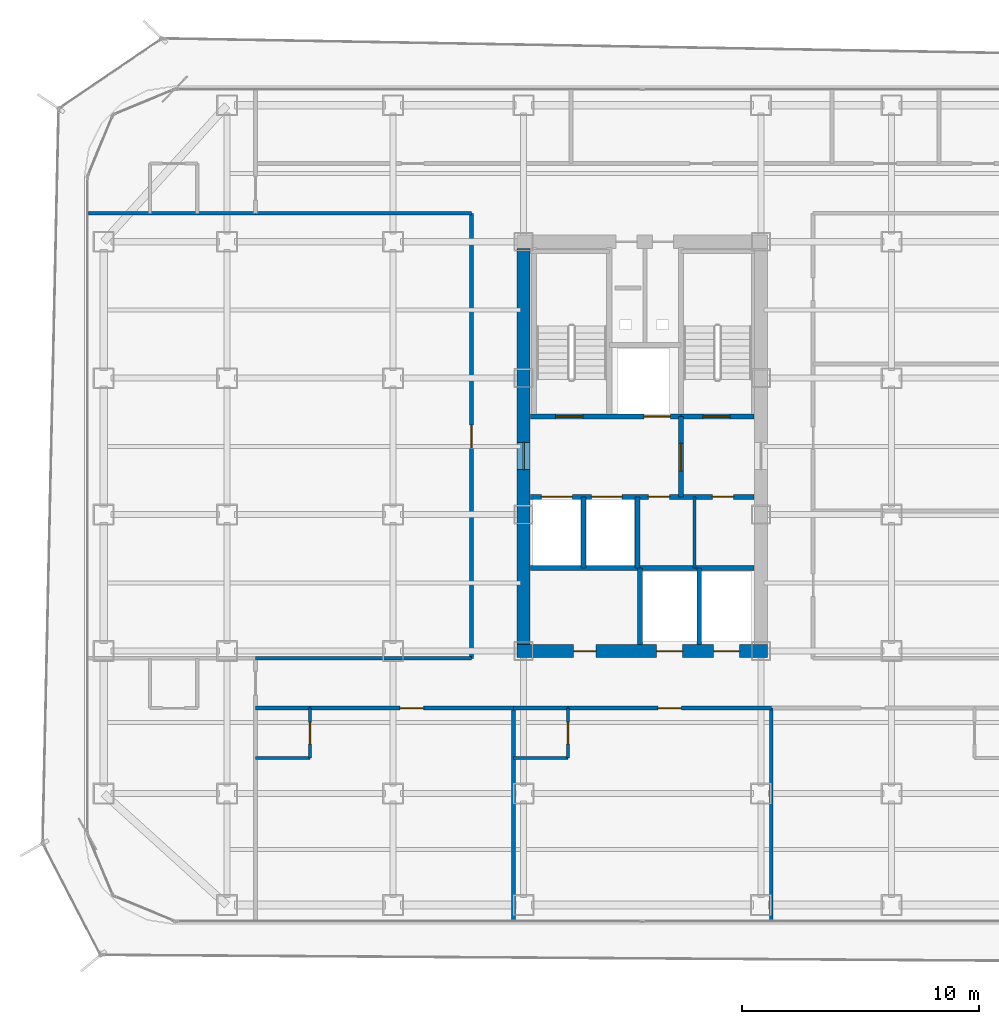
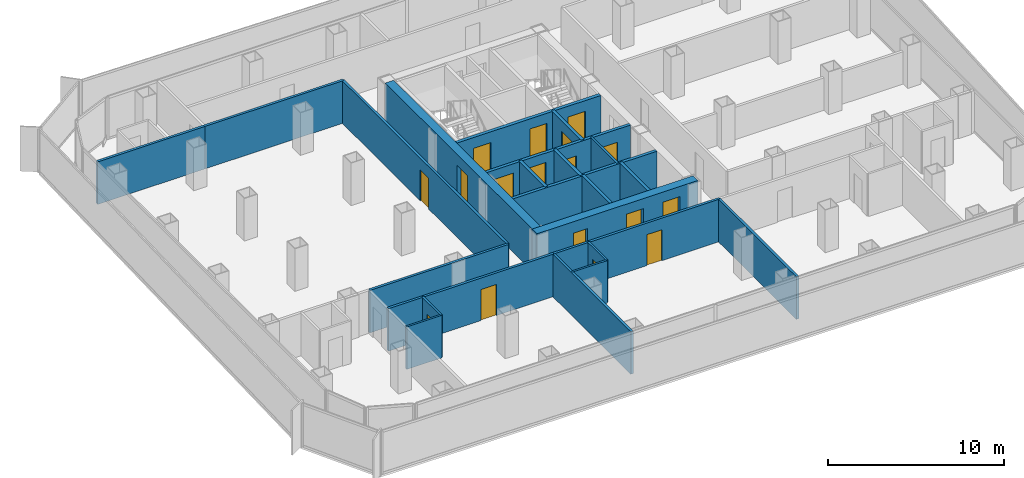
# One storey, part 16 of 21: 26 walls, 17 doors, 17 openings.
"""IFC4 building model written with IfcOpenShell, lengths in metres."""

from ifc_helpers import new_model, si_unit, direction, frame, frame_2d, origin, place, context, subcontext, project, spatial, rectangle, extrude, material, layer, layer_set, type_object, element, fill, save


model = new_model("IFC4")

# Units and contexts
model_context = context("Model", 3, precision=1e-05, world=origin(), true_north=direction((0.0, 1.0)))
body_context = subcontext(model_context, "Body", "Model", "MODEL_VIEW")
ifc_project = project(units=[si_unit("LENGTHUNIT", "METRE"), si_unit("AREAUNIT", "SQUARE_METRE"), si_unit("VOLUMEUNIT", "CUBIC_METRE"), si_unit("PLANEANGLEUNIT", "RADIAN"), si_unit("MASSUNIT", "GRAM", prefix="KILO")], contexts=[model_context])

# Site, building, storey
site_placement = place(None, origin())
site = spatial("IfcSite", under=ifc_project, at=site_placement, CompositionType="ELEMENT")
building_placement = place(site_placement, origin())
building = spatial("IfcBuilding", under=site, at=building_placement, Name="Kolveth Station Tower", CompositionType="ELEMENT")
storey_placement = place(building_placement, frame((0.0, 0.0, 121.5)))
storey = spatial("IfcBuildingStorey", under=building, at=storey_placement, Name="L33", CompositionType="ELEMENT", Elevation=121.5)

# Wall, openings, doors
ifc_material_1 = material(Name="Concrete C60/75", Category="concrete")
ifc_layer_1 = layer(ifc_material_1, 0.550048828125)
ifc_layer_set_1 = layer_set([ifc_layer_1], Name="Concrete C60/75")
wall_type_1 = type_object("IfcWallType", Name="Wall_CW-550", PredefinedType="SHEAR", material=ifc_layer_set_1)
wall_1_placement = place(storey_placement, frame((18.22509765625, 11.5, 0.0), z_axis=(0.0, 0.0, 1.0), x_axis=(1.0, 0.0, 0.0)))
wall_1 = element("IfcWall", 1, at=wall_1_placement, inside=storey, type_object=wall_type_1, Name="L33 Core RC Shear Wall S", PredefinedType="SHEAR", context=body_context, shape_type="SweptSolid", body=[
    extrude(rectangle(XDim=10.5498046875, YDim=0.550048828125, at=frame_2d((5.27490234375, 0.0))), origin(), (0.0, 0.0, 1.0), 2.949951171875),
])
opening_1_placement = place(wall_1_placement, frame((2.375, 0.0, 0.0)))
opening_1 = element("IfcOpeningElement", 2, at=opening_1_placement, cuts=wall_1, Name="Opening ID1", PredefinedType="OPENING", context=body_context, shape_type="SweptSolid", body=[
    extrude(rectangle(XDim=0.949951171875, YDim=2.14990234375, at=frame_2d((0.47509765625, 1.074951171875))), frame((0.0, 0.284912109375, 0.0), z_axis=(0.0, -1.0, 0.0), x_axis=(1.0, 0.0, 0.0)), (0.0, 0.0, 1.0), 0.570068359375),
])
opening_2_placement = place(wall_1_placement, frame((5.875, 0.0, 0.0)))
opening_2 = element("IfcOpeningElement", 3, at=opening_2_placement, cuts=wall_1, Name="Opening LD1", PredefinedType="OPENING", context=body_context, shape_type="SweptSolid", body=[
    extrude(rectangle(XDim=1.10009765625, YDim=2.25, at=frame_2d((0.550048828125, 1.125))), frame((0.0, 0.284912109375, 0.0), z_axis=(0.0, -1.0, 0.0), x_axis=(1.0, 0.0, 0.0)), (0.0, 0.0, 1.0), 0.570068359375),
])
opening_3_placement = place(wall_1_placement, frame((8.27490234375, 0.0, 0.0)))
opening_3 = element("IfcOpeningElement", 4, at=opening_3_placement, cuts=wall_1, Name="Opening LD1", PredefinedType="OPENING", context=body_context, shape_type="SweptSolid", body=[
    extrude(rectangle(XDim=1.10009765625, YDim=2.25, at=frame_2d((0.550048828125, 1.125))), frame((0.0, 0.284912109375, 0.0), z_axis=(0.0, -1.0, 0.0), x_axis=(1.0, 0.0, 0.0)), (0.0, 0.0, 1.0), 0.570068359375),
])
ifc_material_2 = material(Name="Acoustic hardwood leaf and aluminium frame", Category="wood")
door_type_1 = type_object("IfcDoorType", Name="Door_ID1", OperationType="NOTDEFINED", PredefinedType="DOOR", material=ifc_material_2)
door_1_placement = place(opening_1_placement, frame((0.949951171875, 0.0, 0.0), z_axis=(0.0, 0.0, 1.0), x_axis=(-1.0, 0.0, 0.0)))
door_1 = element("IfcDoor", 5, at=door_1_placement, inside=storey, type_object=door_type_1, Name="L33 Hotel Pantry Door", OperationType="SINGLE_SWING_RIGHT", OverallHeight=2.14990234375, OverallWidth=0.949951171875, PredefinedType="DOOR", context=body_context, shape_type="SweptSolid", body=[
    extrude(rectangle(XDim=0.949951171875, YDim=2.14990234375, at=frame_2d((0.47509765625, 1.074951171875))), frame((0.0, 0.02490234375, 0.0), z_axis=(0.0, -1.0, 0.0), x_axis=(1.0, 0.0, 0.0)), (0.0, 0.0, 1.0), 0.050048828125),
])
fill(opening_1, door_1)
ifc_material_3 = material(Name="Brushed stainless steel sliding landing doors", Category="steel")
door_type_2 = type_object("IfcDoorType", Name="Door_LD1", OperationType="NOTDEFINED", PredefinedType="DOOR", material=ifc_material_3)
door_2_placement = place(opening_2_placement, frame((1.10009765625, 0.0, 0.0), z_axis=(0.0, 0.0, 1.0), x_axis=(-1.0, 0.0, 0.0)))
door_2 = element("IfcDoor", 6, at=door_2_placement, inside=storey, type_object=door_type_2, Name="L33 Lift PM1 Landing Door", OperationType="DOUBLE_DOOR_SLIDING", OverallHeight=2.25, OverallWidth=1.10009765625, PredefinedType="DOOR", context=body_context, shape_type="SweptSolid", body=[
    extrude(rectangle(XDim=1.10009765625, YDim=2.25, at=frame_2d((0.550048828125, 1.125))), frame((0.0, 0.02490234375, 0.0), z_axis=(0.0, -1.0, 0.0), x_axis=(1.0, 0.0, 0.0)), (0.0, 0.0, 1.0), 0.050048828125),
])
fill(opening_2, door_2)
door_3_placement = place(opening_3_placement, frame((1.10009765625, 0.0, 0.0), z_axis=(0.0, 0.0, 1.0), x_axis=(-1.0, 0.0, 0.0)))
door_3 = element("IfcDoor", 7, at=door_3_placement, inside=storey, type_object=door_type_2, Name="L33 Lift PH1 Landing Door", OperationType="DOUBLE_DOOR_SLIDING", OverallHeight=2.25, OverallWidth=1.10009765625, PredefinedType="DOOR", context=body_context, shape_type="SweptSolid", body=[
    extrude(rectangle(XDim=1.10009765625, YDim=2.25, at=frame_2d((0.550048828125, 1.125))), frame((0.0, 0.02490234375, 0.0), z_axis=(0.0, -1.0, 0.0), x_axis=(1.0, 0.0, 0.0)), (0.0, 0.0, 1.0), 0.050048828125),
])
fill(opening_3, door_3)

# Wall, opening, door
wall_2_placement = place(storey_placement, frame((18.5, 11.77490234375, 0.0), z_axis=(0.0, 0.0, 1.0), x_axis=(0.0, 1.0, 0.0)))
wall_2 = element("IfcWall", 8, at=wall_2_placement, inside=storey, type_object=wall_type_1, Name="L33 Core RC Shear Wall W", PredefinedType="SHEAR", context=body_context, shape_type="SweptSolid", body=[
    extrude(rectangle(XDim=16.7001953125, YDim=0.550048828125, at=frame_2d((8.35009765625, 0.0))), origin(), (0.0, 0.0, 1.0), 2.949951171875),
])
opening_4_placement = place(wall_2_placement, frame((7.375, 0.0, 0.0)))
opening_4 = element("IfcOpeningElement", 9, at=opening_4_placement, cuts=wall_2, Name="Opening FD1", PredefinedType="OPENING", context=body_context, shape_type="SweptSolid", body=[
    extrude(rectangle(XDim=1.14990234375, YDim=2.199951171875, at=frame_2d((0.574951171875, 1.10009765625))), frame((0.0, 0.284912109375, 0.0), z_axis=(0.0, -1.0, 0.0), x_axis=(1.0, 0.0, 0.0)), (0.0, 0.0, 1.0), 0.570068359375),
])
ifc_material_4 = material(Name="Fire-rated Steel S355 leaf and frame", Category="steel")
door_type_3 = type_object("IfcDoorType", Name="Door_FD1", OperationType="NOTDEFINED", PredefinedType="DOOR", material=ifc_material_4)
door_4_placement = place(opening_4_placement, frame((1.14990234375, 0.0, 0.0), z_axis=(0.0, 0.0, 1.0), x_axis=(-1.0, 0.0, 0.0)))
door_4 = element("IfcDoor", 10, at=door_4_placement, inside=storey, type_object=door_type_3, Name="L33 West Corridor to Firefighting Lobby Door", OperationType="SINGLE_SWING_RIGHT", OverallHeight=2.199951171875, OverallWidth=1.14990234375, PredefinedType="DOOR", context=body_context, shape_type="SweptSolid", body=[
    extrude(rectangle(XDim=1.14990234375, YDim=2.199951171875, at=frame_2d((0.574951171875, 1.10009765625))), frame((0.0, 0.02490234375, 0.0), z_axis=(0.0, -1.0, 0.0), x_axis=(1.0, 0.0, 0.0)), (0.0, 0.0, 1.0), 0.050048828125),
])
fill(opening_4, door_4)

# Wall
ifc_material_5 = material(Name="Moisture-resistant gypsum partition")
ifc_layer_2 = layer(ifc_material_5, 0.135009765625)
ifc_layer_set_2 = layer_set([ifc_layer_2], Name="Moisture-resistant gypsum partition")
wall_type_2 = type_object("IfcWallType", Name="Wall_IW-135", PredefinedType="PARTITIONING", material=ifc_layer_set_2)
wall_3_placement = place(storey_placement, frame((25.699951171875, 15.0, 0.0), z_axis=(0.0, 0.0, 1.0), x_axis=(0.0, 1.0, 0.0)))
element("IfcWall", 11, at=wall_3_placement, inside=storey, type_object=wall_type_2, Name="L33 Partition Wall WL-L33-CB-V1", PredefinedType="PARTITIONING", context=body_context, shape_type="SweptSolid", body=[
    extrude(rectangle(XDim=3.0, YDim=0.135009765625, at=frame_2d((1.5, 0.0))), origin(), (0.0, 0.0, 1.0), 2.949951171875),
])

# Wall, opening, door
wall_4_placement = place(storey_placement, frame((9.5, 7.0, 0.0), z_axis=(0.0, 0.0, 1.0), x_axis=(0.0, 1.0, 0.0)))
wall_4 = element("IfcWall", 12, at=wall_4_placement, inside=storey, type_object=wall_type_2, Name="L33 Partition Wall WL-L33-HS1-BV", PredefinedType="PARTITIONING", context=body_context, shape_type="SweptSolid", body=[
    extrude(rectangle(XDim=2.10009765625, YDim=0.135009765625, at=frame_2d((1.050048828125, 0.0))), origin(), (0.0, 0.0, 1.0), 2.949951171875),
])
opening_5_placement = place(wall_4_placement, frame((0.580078125, 0.0, 0.0)))
opening_5 = element("IfcOpeningElement", 13, at=opening_5_placement, cuts=wall_4, Name="Opening ID2", PredefinedType="OPENING", context=body_context, shape_type="SweptSolid", body=[
    extrude(rectangle(XDim=0.919921875, YDim=2.10009765625, at=frame_2d((0.4599609375, 1.050048828125))), frame((0.0, 0.077392578125, 0.0), z_axis=(0.0, -1.0, 0.0), x_axis=(1.0, 0.0, 0.0)), (0.0, 0.0, 1.0), 0.155029296875),
])
ifc_material_6 = material(Name="Moisture-resistant hardwood leaf", Category="wood")
door_type_4 = type_object("IfcDoorType", Name="Door_ID2", OperationType="NOTDEFINED", PredefinedType="DOOR", material=ifc_material_6)
door_5_placement = place(opening_5_placement, frame((0.919921875, 0.0, 0.0), z_axis=(0.0, 0.0, 1.0), x_axis=(-1.0, 0.0, 0.0)))
door_5 = element("IfcDoor", 14, at=door_5_placement, inside=storey, type_object=door_type_4, Name="L33 Hotel Corner Suite HS1 En-Suite Door", OperationType="SINGLE_SWING_LEFT", OverallHeight=2.10009765625, OverallWidth=0.919921875, PredefinedType="DOOR", context=body_context, shape_type="SweptSolid", body=[
    extrude(rectangle(XDim=0.919921875, YDim=2.10009765625, at=frame_2d((0.4599609375, 1.050048828125))), frame((0.0, 0.02490234375, 0.0), z_axis=(0.0, -1.0, 0.0), x_axis=(1.0, 0.0, 0.0)), (0.0, 0.0, 1.0), 0.050048828125),
])
fill(opening_5, door_5)

# Wall
wall_5_placement = place(storey_placement, frame((7.199951171875, 7.0, 0.0), z_axis=(0.0, 0.0, 1.0), x_axis=(1.0, 0.0, 0.0)))
element("IfcWall", 15, at=wall_5_placement, inside=storey, type_object=wall_type_2, Name="L33 Partition Wall WL-L33-HS1-BH", PredefinedType="PARTITIONING", context=body_context, shape_type="SweptSolid", body=[
    extrude(rectangle(XDim=2.300048828125, YDim=0.135009765625, at=frame_2d((1.14990234375, 0.0))), origin(), (0.0, 0.0, 1.0), 2.949951171875),
])

# Wall, opening, door
wall_6_placement = place(storey_placement, frame((20.366943359375, 7.0, 0.0), z_axis=(0.0, 0.0, 1.0), x_axis=(0.0, 1.0, 0.0)))
wall_6 = element("IfcWall", 16, at=wall_6_placement, inside=storey, type_object=wall_type_2, Name="L33 Partition Wall WL-L33-HS2-BV", PredefinedType="PARTITIONING", context=body_context, shape_type="SweptSolid", body=[
    extrude(rectangle(XDim=2.10009765625, YDim=0.135009765625, at=frame_2d((1.050048828125, 0.0))), origin(), (0.0, 0.0, 1.0), 2.949951171875),
])
opening_6_placement = place(wall_6_placement, frame((0.580078125, 0.0, 0.0)))
opening_6 = element("IfcOpeningElement", 17, at=opening_6_placement, cuts=wall_6, Name="Opening ID2", PredefinedType="OPENING", context=body_context, shape_type="SweptSolid", body=[
    extrude(rectangle(XDim=0.919921875, YDim=2.10009765625, at=frame_2d((0.4599609375, 1.050048828125))), frame((0.0, 0.077392578125, 0.0), z_axis=(0.0, -1.0, 0.0), x_axis=(1.0, 0.0, 0.0)), (0.0, 0.0, 1.0), 0.155029296875),
])
door_6_placement = place(opening_6_placement, frame((0.919921875, 0.0, 0.0), z_axis=(0.0, 0.0, 1.0), x_axis=(-1.0, 0.0, 0.0)))
door_6 = element("IfcDoor", 18, at=door_6_placement, inside=storey, type_object=door_type_4, Name="L33 Hotel Corner Suite HS2 En-Suite Door", OperationType="SINGLE_SWING_LEFT", OverallHeight=2.10009765625, OverallWidth=0.919921875, PredefinedType="DOOR", context=body_context, shape_type="SweptSolid", body=[
    extrude(rectangle(XDim=0.919921875, YDim=2.10009765625, at=frame_2d((0.4599609375, 1.050048828125))), frame((0.0, 0.02490234375, 0.0), z_axis=(0.0, -1.0, 0.0), x_axis=(1.0, 0.0, 0.0)), (0.0, 0.0, 1.0), 0.050048828125),
])
fill(opening_6, door_6)

# Walls
wall_7_placement = place(storey_placement, frame((18.06689453125, 7.0, 0.0), z_axis=(0.0, 0.0, 1.0), x_axis=(1.0, 0.0, 0.0)))
element("IfcWall", 19, at=wall_7_placement, inside=storey, type_object=wall_type_2, Name="L33 Partition Wall WL-L33-HS2-BH", PredefinedType="PARTITIONING", context=body_context, shape_type="SweptSolid", body=[
    extrude(rectangle(XDim=2.300048828125, YDim=0.135009765625, at=frame_2d((1.14990234375, 0.0))), origin(), (0.0, 0.0, 1.0), 2.949951171875),
])
ifc_material_7 = material(Name="Acoustic double-stud gypsum partition")
ifc_layer_3 = layer(ifc_material_7, 0.1650390625)
ifc_layer_set_3 = layer_set([ifc_layer_3], Name="Acoustic double-stud gypsum partition")
wall_type_3 = type_object("IfcWallType", Name="Wall_IW-165", PredefinedType="PARTITIONING", material=ifc_layer_set_3)
for number, where, z_axis, x_axis, name in (
    (20, (7.199951171875, 11.199951171875, 0.0), (0.0, 0.0, 1.0), (1.0, 0.0, 0.0), "L33 Partition Wall WL-L33-HSWT"),
    (21, (7.199951171875, 29.949951171875, 0.0), (0.0, 0.0, 1.0), (1.0, 0.0, 0.0), "L33 Partition Wall WL-L33-HNWB"),
):
    element("IfcWall", number, at=place(storey_placement, frame(where, z_axis=z_axis, x_axis=x_axis)), inside=storey, type_object=wall_type_3, Name=name, PredefinedType="PARTITIONING", context=body_context, shape_type="SweptSolid", body=[
        extrude(rectangle(XDim=9.10009765625, YDim=0.1650390625, at=frame_2d((4.550048828125, 0.0))), origin(), (0.0, 0.0, 1.0), 2.949951171875),
    ])

# Wall, opening, door
wall_8_placement = place(storey_placement, frame((16.300048828125, 11.199951171875, 0.0), z_axis=(0.0, 0.0, 1.0), x_axis=(0.0, 1.0, 0.0)))
wall_8 = element("IfcWall", 22, at=wall_8_placement, inside=storey, type_object=wall_type_3, Name="L33 Partition Wall WL-L33-HW", PredefinedType="PARTITIONING", context=body_context, shape_type="SweptSolid", body=[
    extrude(rectangle(XDim=18.75, YDim=0.1650390625, at=frame_2d((9.375, 0.0))), origin(), (0.0, 0.0, 1.0), 2.949951171875),
])
opening_7_placement = place(wall_8_placement, frame((8.875, 0.0, 0.0)))
opening_7 = element("IfcOpeningElement", 23, at=opening_7_placement, cuts=wall_8, Name="Opening ID1", PredefinedType="OPENING", context=body_context, shape_type="SweptSolid", body=[
    extrude(rectangle(XDim=0.949951171875, YDim=2.14990234375, at=frame_2d((0.47509765625, 1.074951171875))), frame((0.0, 0.092529296875, 0.0), z_axis=(0.0, -1.0, 0.0), x_axis=(1.0, 0.0, 0.0)), (0.0, 0.0, 1.0), 0.18505859375),
])
door_7_placement = place(opening_7_placement, frame((0.949951171875, 0.0, 0.0), z_axis=(0.0, 0.0, 1.0), x_axis=(-1.0, 0.0, 0.0)))
door_7 = element("IfcDoor", 24, at=door_7_placement, inside=storey, type_object=door_type_1, Name="L33 Hotel Club Lounge West Door", OperationType="SINGLE_SWING_LEFT", OverallHeight=2.14990234375, OverallWidth=0.949951171875, PredefinedType="DOOR", context=body_context, shape_type="SweptSolid", body=[
    extrude(rectangle(XDim=0.949951171875, YDim=2.14990234375, at=frame_2d((0.47509765625, 1.074951171875))), frame((0.0, 0.02490234375, 0.0), z_axis=(0.0, -1.0, 0.0), x_axis=(1.0, 0.0, 0.0)), (0.0, 0.0, 1.0), 0.050048828125),
])
fill(opening_7, door_7)

# Walls
wall_9_placement = place(storey_placement, frame((0.159912109375, 29.949951171875, 0.0), z_axis=(0.0, 0.0, 1.0), x_axis=(1.0, 0.0, 0.0)))
element("IfcWall", 25, at=wall_9_placement, inside=storey, type_object=wall_type_3, Name="L33 Partition Wall WL-L33-WM2", PredefinedType="PARTITIONING", context=body_context, shape_type="SweptSolid", body=[
    extrude(rectangle(XDim=7.0400390625, YDim=0.1650390625, at=frame_2d((3.52001953125, 0.0))), origin(), (0.0, 0.0, 1.0), 2.949951171875),
])
wall_10_placement = place(storey_placement, frame((7.199951171875, 9.10009765625, 0.0), z_axis=(0.0, 0.0, 1.0), x_axis=(1.0, 0.0, 0.0)))
element("IfcWall", 26, at=wall_10_placement, inside=storey, type_object=wall_type_3, Name="L33 Partition Wall WL-L33-HS1-BCOR", PredefinedType="PARTITIONING", context=body_context, shape_type="SweptSolid", body=[
    extrude(rectangle(XDim=2.300048828125, YDim=0.1650390625, at=frame_2d((1.14990234375, 0.0))), origin(), (0.0, 0.0, 1.0), 2.949951171875),
])

# Wall, opening, door
wall_11_placement = place(storey_placement, frame((9.5, 9.10009765625, 0.0), z_axis=(0.0, 0.0, 1.0), x_axis=(1.0, 0.0, 0.0)))
wall_11 = element("IfcWall", 27, at=wall_11_placement, inside=storey, type_object=wall_type_3, Name="L33 Partition Wall WL-L33-HS1-RCOR", PredefinedType="PARTITIONING", context=body_context, shape_type="SweptSolid", body=[
    extrude(rectangle(XDim=8.56689453125, YDim=0.1650390625, at=frame_2d((4.283447265625, 0.0))), origin(), (0.0, 0.0, 1.0), 2.949951171875),
])
opening_8_placement = place(wall_11_placement, frame((3.783935546875, 0.0, 0.0)))
opening_8 = element("IfcOpeningElement", 28, at=opening_8_placement, cuts=wall_11, Name="Opening FD3", PredefinedType="OPENING", context=body_context, shape_type="SweptSolid", body=[
    extrude(rectangle(XDim=1.0, YDim=2.14990234375, at=frame_2d((0.5, 1.074951171875))), frame((0.0, 0.092529296875, 0.0), z_axis=(0.0, -1.0, 0.0), x_axis=(1.0, 0.0, 0.0)), (0.0, 0.0, 1.0), 0.18505859375),
])
ifc_material_8 = material(Name="Fire-rated hardwood leaf and aluminium frame", Category="wood")
door_type_5 = type_object("IfcDoorType", Name="Door_FD3", OperationType="NOTDEFINED", PredefinedType="DOOR", material=ifc_material_8)
door_8_placement = place(opening_8_placement, frame((1.0, 0.0, 0.0), z_axis=(0.0, 0.0, 1.0), x_axis=(-1.0, 0.0, 0.0)))
door_8 = element("IfcDoor", 29, at=door_8_placement, inside=storey, type_object=door_type_5, Name="L33 Hotel Corner Suite HS1 Entrance Door", OperationType="SINGLE_SWING_RIGHT", OverallHeight=2.14990234375, OverallWidth=1.0, PredefinedType="DOOR", context=body_context, shape_type="SweptSolid", body=[
    extrude(rectangle(XDim=1.0, YDim=2.14990234375, at=frame_2d((0.5, 1.074951171875))), frame((0.0, 0.02490234375, 0.0), z_axis=(0.0, -1.0, 0.0), x_axis=(1.0, 0.0, 0.0)), (0.0, 0.0, 1.0), 0.050048828125),
])
fill(opening_8, door_8)

# Walls
wall_12_placement = place(storey_placement, frame((18.06689453125, 0.159912109375, 0.0), z_axis=(0.0, 0.0, 1.0), x_axis=(0.0, 1.0, 0.0)))
element("IfcWall", 30, at=wall_12_placement, inside=storey, type_object=wall_type_3, Name="L33 Partition Wall WL-L33-HSK-1", PredefinedType="PARTITIONING", context=body_context, shape_type="SweptSolid", body=[
    extrude(rectangle(XDim=8.940185546875, YDim=0.1650390625, at=frame_2d((4.47021484375, 0.0))), origin(), (0.0, 0.0, 1.0), 2.949951171875),
])
wall_13_placement = place(storey_placement, frame((18.06689453125, 9.10009765625, 0.0), z_axis=(0.0, 0.0, 1.0), x_axis=(1.0, 0.0, 0.0)))
element("IfcWall", 31, at=wall_13_placement, inside=storey, type_object=wall_type_3, Name="L33 Partition Wall WL-L33-HS2-BCOR", PredefinedType="PARTITIONING", context=body_context, shape_type="SweptSolid", body=[
    extrude(rectangle(XDim=2.300048828125, YDim=0.1650390625, at=frame_2d((1.14990234375, 0.0))), origin(), (0.0, 0.0, 1.0), 2.949951171875),
])

# Wall, opening, door
wall_14_placement = place(storey_placement, frame((20.366943359375, 9.10009765625, 0.0), z_axis=(0.0, 0.0, 1.0), x_axis=(1.0, 0.0, 0.0)))
wall_14 = element("IfcWall", 32, at=wall_14_placement, inside=storey, type_object=wall_type_3, Name="L33 Partition Wall WL-L33-HS2-RCOR", PredefinedType="PARTITIONING", context=body_context, shape_type="SweptSolid", body=[
    extrude(rectangle(XDim=8.566162109375, YDim=0.1650390625, at=frame_2d((4.283203125, 0.0))), origin(), (0.0, 0.0, 1.0), 2.949951171875),
])
opening_9_placement = place(wall_14_placement, frame((3.782958984375, 0.0, 0.0)))
opening_9 = element("IfcOpeningElement", 33, at=opening_9_placement, cuts=wall_14, Name="Opening FD3", PredefinedType="OPENING", context=body_context, shape_type="SweptSolid", body=[
    extrude(rectangle(XDim=1.0, YDim=2.14990234375, at=frame_2d((0.5, 1.074951171875))), frame((0.0, 0.092529296875, 0.0), z_axis=(0.0, -1.0, 0.0), x_axis=(1.0, 0.0, 0.0)), (0.0, 0.0, 1.0), 0.18505859375),
])
door_9_placement = place(opening_9_placement, frame((1.0, 0.0, 0.0), z_axis=(0.0, 0.0, 1.0), x_axis=(-1.0, 0.0, 0.0)))
door_9 = element("IfcDoor", 34, at=door_9_placement, inside=storey, type_object=door_type_5, Name="L33 Hotel Corner Suite HS2 Entrance Door", OperationType="SINGLE_SWING_LEFT", OverallHeight=2.14990234375, OverallWidth=1.0, PredefinedType="DOOR", context=body_context, shape_type="SweptSolid", body=[
    extrude(rectangle(XDim=1.0, YDim=2.14990234375, at=frame_2d((0.5, 1.074951171875))), frame((0.0, 0.02490234375, 0.0), z_axis=(0.0, -1.0, 0.0), x_axis=(1.0, 0.0, 0.0)), (0.0, 0.0, 1.0), 0.050048828125),
])
fill(opening_9, door_9)

# Wall
wall_15_placement = place(storey_placement, frame((28.93310546875, 0.159912109375, 0.0), z_axis=(0.0, 0.0, 1.0), x_axis=(0.0, 1.0, 0.0)))
element("IfcWall", 35, at=wall_15_placement, inside=storey, type_object=wall_type_3, Name="L33 Partition Wall WL-L33-HSK-2", PredefinedType="PARTITIONING", context=body_context, shape_type="SweptSolid", body=[
    extrude(rectangle(XDim=8.940185546875, YDim=0.1650390625, at=frame_2d((4.47021484375, 0.0))), origin(), (0.0, 0.0, 1.0), 2.949951171875),
])

# Wall, opening, door
ifc_material_9 = material(Name="Acoustic fire-rated gypsum blockwork", Category="masonry")
ifc_layer_4 = layer(ifc_material_9, 0.199951171875)
ifc_layer_set_4 = layer_set([ifc_layer_4], Name="Acoustic fire-rated gypsum blockwork")
wall_type_4 = type_object("IfcWallType", Name="Wall_IW-200", PredefinedType="PARTITIONING", material=ifc_layer_set_4)
wall_16_placement = place(storey_placement, frame((25.1298828125, 18.0, 0.0), z_axis=(0.0, 0.0, 1.0), x_axis=(0.0, 1.0, 0.0)))
wall_16 = element("IfcWall", 36, at=wall_16_placement, inside=storey, type_object=wall_type_4, Name="L33 Partition Wall WL-L33-FFL-E", PredefinedType="PARTITIONING", context=body_context, shape_type="SweptSolid", body=[
    extrude(rectangle(XDim=3.389892578125, YDim=0.199951171875, at=frame_2d((1.69482421875, 0.0))), origin(), (0.0, 0.0, 1.0), 2.949951171875),
])
opening_10_placement = place(wall_16_placement, frame((1.10009765625, 0.0, 0.0)))
opening_10 = element("IfcOpeningElement", 37, at=opening_10_placement, cuts=wall_16, Name="Opening FD1", PredefinedType="OPENING", context=body_context, shape_type="SweptSolid", body=[
    extrude(rectangle(XDim=1.14990234375, YDim=2.199951171875, at=frame_2d((0.574951171875, 1.10009765625))), frame((0.0, 0.10986328125, 0.0), z_axis=(0.0, -1.0, 0.0), x_axis=(1.0, 0.0, 0.0)), (0.0, 0.0, 1.0), 0.219970703125),
])
door_10_placement = place(opening_10_placement, origin())
door_10 = element("IfcDoor", 38, at=door_10_placement, inside=storey, type_object=door_type_3, Name="L33 Firefighting to Stair Lobby Door", OperationType="SINGLE_SWING_LEFT", OverallHeight=2.199951171875, OverallWidth=1.14990234375, PredefinedType="DOOR", context=body_context, shape_type="SweptSolid", body=[
    extrude(rectangle(XDim=1.14990234375, YDim=2.199951171875, at=frame_2d((0.574951171875, 1.10009765625))), frame((0.0, 0.02490234375, 0.0), z_axis=(0.0, -1.0, 0.0), x_axis=(1.0, 0.0, 0.0)), (0.0, 0.0, 1.0), 0.050048828125),
])
fill(opening_10, door_10)

# Wall, openings, doors
wall_17_placement = place(storey_placement, frame((18.784912109375, 18.0, 0.0), z_axis=(0.0, 0.0, 1.0), x_axis=(1.0, 0.0, 0.0)))
wall_17 = element("IfcWall", 39, at=wall_17_placement, inside=storey, type_object=wall_type_4, Name="L33 Partition Wall WL-L33-FFL-S", PredefinedType="PARTITIONING", context=body_context, shape_type="SweptSolid", body=[
    extrude(rectangle(XDim=9.43017578125, YDim=0.199951171875, at=frame_2d((4.715087890625, 0.0))), origin(), (0.0, 0.0, 1.0), 2.949951171875),
])
opening_11_placement = place(wall_17_placement, frame((0.465087890625, 0.0, 0.0)))
opening_11 = element("IfcOpeningElement", 40, at=opening_11_placement, cuts=wall_17, Name="Opening LD2", PredefinedType="OPENING", context=body_context, shape_type="SweptSolid", body=[
    extrude(rectangle(XDim=1.300048828125, YDim=2.300048828125, at=frame_2d((0.64990234375, 1.14990234375))), frame((0.0, 0.10986328125, 0.0), z_axis=(0.0, -1.0, 0.0), x_axis=(1.0, 0.0, 0.0)), (0.0, 0.0, 1.0), 0.219970703125),
])
opening_12_placement = place(wall_17_placement, frame((2.56494140625, 0.0, 0.0)))
opening_12 = element("IfcOpeningElement", 41, at=opening_12_placement, cuts=wall_17, Name="Opening LD2", PredefinedType="OPENING", context=body_context, shape_type="SweptSolid", body=[
    extrude(rectangle(XDim=1.300048828125, YDim=2.300048828125, at=frame_2d((0.64990234375, 1.14990234375))), frame((0.0, 0.10986328125, 0.0), z_axis=(0.0, -1.0, 0.0), x_axis=(1.0, 0.0, 0.0)), (0.0, 0.0, 1.0), 0.219970703125),
])
opening_13_placement = place(wall_17_placement, frame((4.965087890625, 0.0, 0.0)))
opening_13 = element("IfcOpeningElement", 42, at=opening_13_placement, cuts=wall_17, Name="Opening RD1", PredefinedType="OPENING", context=body_context, shape_type="SweptSolid", body=[
    extrude(rectangle(XDim=0.89990234375, YDim=2.050048828125, at=frame_2d((0.449951171875, 1.02490234375))), frame((0.0, 0.10986328125, 0.0), z_axis=(0.0, -1.0, 0.0), x_axis=(1.0, 0.0, 0.0)), (0.0, 0.0, 1.0), 0.219970703125),
])
opening_14_placement = place(wall_17_placement, frame((7.6650390625, 0.0, 0.0)))
opening_14 = element("IfcOpeningElement", 43, at=opening_14_placement, cuts=wall_17, Name="Opening RD1", PredefinedType="OPENING", context=body_context, shape_type="SweptSolid", body=[
    extrude(rectangle(XDim=0.89990234375, YDim=2.050048828125, at=frame_2d((0.449951171875, 1.02490234375))), frame((0.0, 0.10986328125, 0.0), z_axis=(0.0, -1.0, 0.0), x_axis=(1.0, 0.0, 0.0)), (0.0, 0.0, 1.0), 0.219970703125),
])
ifc_material_10 = material(Name="Firefighting stainless steel sliding landing doors", Category="steel")
door_type_6 = type_object("IfcDoorType", Name="Door_LD2", OperationType="NOTDEFINED", PredefinedType="DOOR", material=ifc_material_10)
door_11_placement = place(opening_11_placement, origin())
door_11 = element("IfcDoor", 44, at=door_11_placement, inside=storey, type_object=door_type_6, Name="L33 Firefighting Lift FF1 Landing Door", OperationType="DOUBLE_DOOR_SLIDING", OverallHeight=2.300048828125, OverallWidth=1.300048828125, PredefinedType="DOOR", context=body_context, shape_type="SweptSolid", body=[
    extrude(rectangle(XDim=1.300048828125, YDim=2.300048828125, at=frame_2d((0.64990234375, 1.14990234375))), frame((0.0, 0.02490234375, 0.0), z_axis=(0.0, -1.0, 0.0), x_axis=(1.0, 0.0, 0.0)), (0.0, 0.0, 1.0), 0.050048828125),
])
fill(opening_11, door_11)
door_12_placement = place(opening_12_placement, origin())
door_12 = element("IfcDoor", 45, at=door_12_placement, inside=storey, type_object=door_type_6, Name="L33 Firefighting Lift FF2 Landing Door", OperationType="DOUBLE_DOOR_SLIDING", OverallHeight=2.300048828125, OverallWidth=1.300048828125, PredefinedType="DOOR", context=body_context, shape_type="SweptSolid", body=[
    extrude(rectangle(XDim=1.300048828125, YDim=2.300048828125, at=frame_2d((0.64990234375, 1.14990234375))), frame((0.0, 0.02490234375, 0.0), z_axis=(0.0, -1.0, 0.0), x_axis=(1.0, 0.0, 0.0)), (0.0, 0.0, 1.0), 0.050048828125),
])
fill(opening_12, door_12)
ifc_material_11 = material(Name="Fire-rated Steel S355 riser access leaf", Category="steel")
door_type_7 = type_object("IfcDoorType", Name="Door_RD1", OperationType="NOTDEFINED", PredefinedType="DOOR", material=ifc_material_11)
door_13_placement = place(opening_13_placement, frame((0.89990234375, 0.0, 0.0), z_axis=(0.0, 0.0, 1.0), x_axis=(-1.0, 0.0, 0.0)))
door_13 = element("IfcDoor", 46, at=door_13_placement, inside=storey, type_object=door_type_7, Name="L33 Core Accessible WC Door", OperationType="SINGLE_SWING_RIGHT", OverallHeight=2.050048828125, OverallWidth=0.89990234375, PredefinedType="DOOR", context=body_context, shape_type="SweptSolid", body=[
    extrude(rectangle(XDim=0.89990234375, YDim=2.050048828125, at=frame_2d((0.449951171875, 1.02490234375))), frame((0.0, 0.02490234375, 0.0), z_axis=(0.0, -1.0, 0.0), x_axis=(1.0, 0.0, 0.0)), (0.0, 0.0, 1.0), 0.050048828125),
])
fill(opening_13, door_13)
door_14_placement = place(opening_14_placement, frame((0.89990234375, 0.0, 0.0), z_axis=(0.0, 0.0, 1.0), x_axis=(-1.0, 0.0, 0.0)))
door_14 = element("IfcDoor", 47, at=door_14_placement, inside=storey, type_object=door_type_7, Name="L33 Housekeeping and Linen Room Door", OperationType="SINGLE_SWING_LEFT", OverallHeight=2.050048828125, OverallWidth=0.89990234375, PredefinedType="DOOR", context=body_context, shape_type="SweptSolid", body=[
    extrude(rectangle(XDim=0.89990234375, YDim=2.050048828125, at=frame_2d((0.449951171875, 1.02490234375))), frame((0.0, 0.02490234375, 0.0), z_axis=(0.0, -1.0, 0.0), x_axis=(1.0, 0.0, 0.0)), (0.0, 0.0, 1.0), 0.050048828125),
])
fill(opening_14, door_14)

# Walls
for number, where, z_axis, x_axis, name in (
    (48, (21.02001953125, 15.0, 0.0), (0.0, 0.0, 1.0), (0.0, 1.0, 0.0), "L33 Partition Wall WL-L33-FF12"),
    (49, (23.300048828125, 15.0, 0.0), (0.0, 0.0, 1.0), (0.0, 1.0, 0.0), "L33 Partition Wall WL-L33-FF2E"),
):
    element("IfcWall", number, at=place(storey_placement, frame(where, z_axis=z_axis, x_axis=x_axis)), inside=storey, type_object=wall_type_4, Name=name, PredefinedType="PARTITIONING", context=body_context, shape_type="SweptSolid", body=[
        extrude(rectangle(XDim=3.0, YDim=0.199951171875, at=frame_2d((1.5, 0.0))), origin(), (0.0, 0.0, 1.0), 2.949951171875),
    ])
wall_18_placement = place(storey_placement, frame((18.784912109375, 15.0, 0.0), z_axis=(0.0, 0.0, 1.0), x_axis=(1.0, 0.0, 0.0)))
element("IfcWall", 50, at=wall_18_placement, inside=storey, type_object=wall_type_4, Name="L33 Partition Wall WL-L33-BOH-S", PredefinedType="PARTITIONING", context=body_context, shape_type="SweptSolid", body=[
    extrude(rectangle(XDim=9.43017578125, YDim=0.199951171875, at=frame_2d((4.715087890625, 0.0))), origin(), (0.0, 0.0, 1.0), 2.949951171875),
])
for number, where, z_axis, x_axis, name in (
    (51, (23.39990234375, 11.784912109375, 0.0), (0.0, 0.0, 1.0), (0.0, 1.0, 0.0), "L33 Partition Wall WL-L33-PL2E"),
    (52, (25.89990234375, 11.784912109375, 0.0), (0.0, 0.0, 1.0), (0.0, 1.0, 0.0), "L33 Partition Wall WL-L33-PMPH"),
):
    element("IfcWall", number, at=place(storey_placement, frame(where, z_axis=z_axis, x_axis=x_axis)), inside=storey, type_object=wall_type_4, Name=name, PredefinedType="PARTITIONING", context=body_context, shape_type="SweptSolid", body=[
        extrude(rectangle(XDim=3.215087890625, YDim=0.199951171875, at=frame_2d((1.607421875, 0.0))), origin(), (0.0, 0.0, 1.0), 2.949951171875),
    ])

# Wall, openings, doors
ifc_material_12 = material(Name="Concrete C40/50", Category="concrete")
ifc_layer_5 = layer(ifc_material_12, 0.219970703125)
ifc_layer_set_5 = layer_set([ifc_layer_5], Name="Concrete C40/50")
wall_type_5 = type_object("IfcWallType", Name="Wall_IW-220", PredefinedType="SOLIDWALL", material=ifc_layer_set_5)
wall_19_placement = place(storey_placement, frame((18.784912109375, 21.389892578125, 0.0), z_axis=(0.0, 0.0, 1.0), x_axis=(1.0, 0.0, 0.0)))
wall_19 = element("IfcWall", 53, at=wall_19_placement, inside=storey, type_object=wall_type_5, Name="L33 Stair Shaft Wall WL-L33-ST1-S", PredefinedType="SOLIDWALL", context=body_context, shape_type="SweptSolid", body=[
    extrude(rectangle(XDim=6.344970703125, YDim=0.219970703125, at=frame_2d((3.17236328125, 0.0))), origin(), (0.0, 0.0, 1.0), 2.949951171875),
])
opening_15_placement = place(wall_19_placement, frame((1.06494140625, 0.0, 0.0)))
opening_15 = element("IfcOpeningElement", 54, at=opening_15_placement, cuts=wall_19, Name="Opening FD1", PredefinedType="OPENING", context=body_context, shape_type="SweptSolid", body=[
    extrude(rectangle(XDim=1.14990234375, YDim=2.199951171875, at=frame_2d((0.574951171875, 1.10009765625))), frame((0.0, 0.119873046875, 0.0), z_axis=(0.0, -1.0, 0.0), x_axis=(1.0, 0.0, 0.0)), (0.0, 0.0, 1.0), 0.239990234375),
])
opening_16_placement = place(wall_19_placement, frame((4.794921875, 0.0, 0.0)))
opening_16 = element("IfcOpeningElement", 55, at=opening_16_placement, cuts=wall_19, Name="Opening LD1", PredefinedType="OPENING", context=body_context, shape_type="SweptSolid", body=[
    extrude(rectangle(XDim=1.10009765625, YDim=2.25, at=frame_2d((0.550048828125, 1.125))), frame((0.0, 0.119873046875, 0.0), z_axis=(0.0, -1.0, 0.0), x_axis=(1.0, 0.0, 0.0)), (0.0, 0.0, 1.0), 0.239990234375),
])
door_15_placement = place(opening_15_placement, frame((1.14990234375, 0.0, 0.0), z_axis=(0.0, 0.0, 1.0), x_axis=(-1.0, 0.0, 0.0)))
door_15 = element("IfcDoor", 56, at=door_15_placement, inside=storey, type_object=door_type_3, Name="L33 Stair ST1 Fire Door", OperationType="SINGLE_SWING_LEFT", OverallHeight=2.199951171875, OverallWidth=1.14990234375, PredefinedType="DOOR", context=body_context, shape_type="SweptSolid", body=[
    extrude(rectangle(XDim=1.14990234375, YDim=2.199951171875, at=frame_2d((0.574951171875, 1.10009765625))), frame((0.0, 0.02490234375, 0.0), z_axis=(0.0, -1.0, 0.0), x_axis=(1.0, 0.0, 0.0)), (0.0, 0.0, 1.0), 0.050048828125),
])
fill(opening_15, door_15)
door_16_placement = place(opening_16_placement, frame((1.10009765625, 0.0, 0.0), z_axis=(0.0, 0.0, 1.0), x_axis=(-1.0, 0.0, 0.0)))
door_16 = element("IfcDoor", 57, at=door_16_placement, inside=storey, type_object=door_type_2, Name="L33 Service Lift SV1 Landing Door", OperationType="DOUBLE_DOOR_SLIDING", OverallHeight=2.25, OverallWidth=1.10009765625, PredefinedType="DOOR", context=body_context, shape_type="SweptSolid", body=[
    extrude(rectangle(XDim=1.10009765625, YDim=2.25, at=frame_2d((0.550048828125, 1.125))), frame((0.0, 0.02490234375, 0.0), z_axis=(0.0, -1.0, 0.0), x_axis=(1.0, 0.0, 0.0)), (0.0, 0.0, 1.0), 0.050048828125),
])
fill(opening_16, door_16)

# Wall, opening, door
wall_20_placement = place(storey_placement, frame((25.1298828125, 21.389892578125, 0.0), z_axis=(0.0, 0.0, 1.0), x_axis=(1.0, 0.0, 0.0)))
wall_20 = element("IfcWall", 58, at=wall_20_placement, inside=storey, type_object=wall_type_5, Name="L33 Stair Shaft Wall WL-L33-ST2-S", PredefinedType="SOLIDWALL", context=body_context, shape_type="SweptSolid", body=[
    extrude(rectangle(XDim=3.085205078125, YDim=0.219970703125, at=frame_2d((1.54248046875, 0.0))), origin(), (0.0, 0.0, 1.0), 2.949951171875),
])
opening_17_placement = place(wall_20_placement, frame((0.919921875, 0.0, 0.0)))
opening_17 = element("IfcOpeningElement", 59, at=opening_17_placement, cuts=wall_20, Name="Opening FD1", PredefinedType="OPENING", context=body_context, shape_type="SweptSolid", body=[
    extrude(rectangle(XDim=1.14990234375, YDim=2.199951171875, at=frame_2d((0.574951171875, 1.10009765625))), frame((0.0, 0.119873046875, 0.0), z_axis=(0.0, -1.0, 0.0), x_axis=(1.0, 0.0, 0.0)), (0.0, 0.0, 1.0), 0.239990234375),
])
door_17_placement = place(opening_17_placement, frame((1.14990234375, 0.0, 0.0), z_axis=(0.0, 0.0, 1.0), x_axis=(-1.0, 0.0, 0.0)))
door_17 = element("IfcDoor", 60, at=door_17_placement, inside=storey, type_object=door_type_3, Name="L33 Stair ST2 Fire Door", OperationType="SINGLE_SWING_LEFT", OverallHeight=2.199951171875, OverallWidth=1.14990234375, PredefinedType="DOOR", context=body_context, shape_type="SweptSolid", body=[
    extrude(rectangle(XDim=1.14990234375, YDim=2.199951171875, at=frame_2d((0.574951171875, 1.10009765625))), frame((0.0, 0.02490234375, 0.0), z_axis=(0.0, -1.0, 0.0), x_axis=(1.0, 0.0, 0.0)), (0.0, 0.0, 1.0), 0.050048828125),
])
fill(opening_17, door_17)

save(model, "model.ifc")
